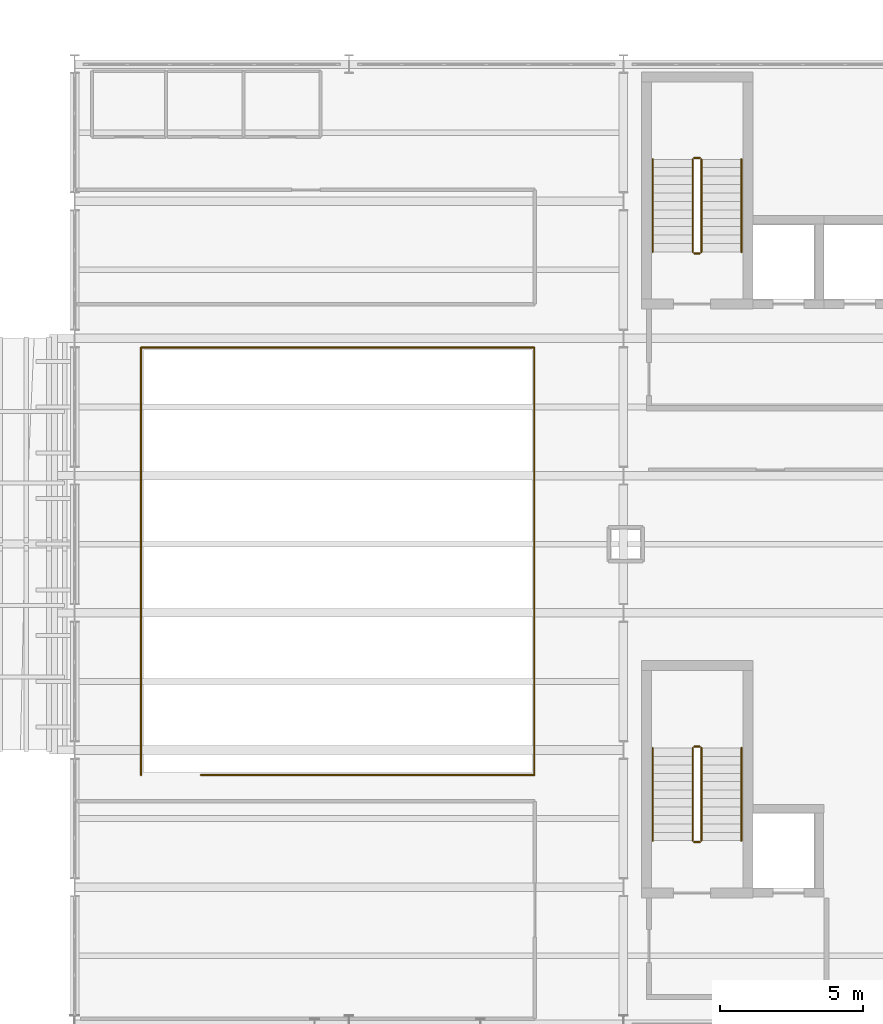
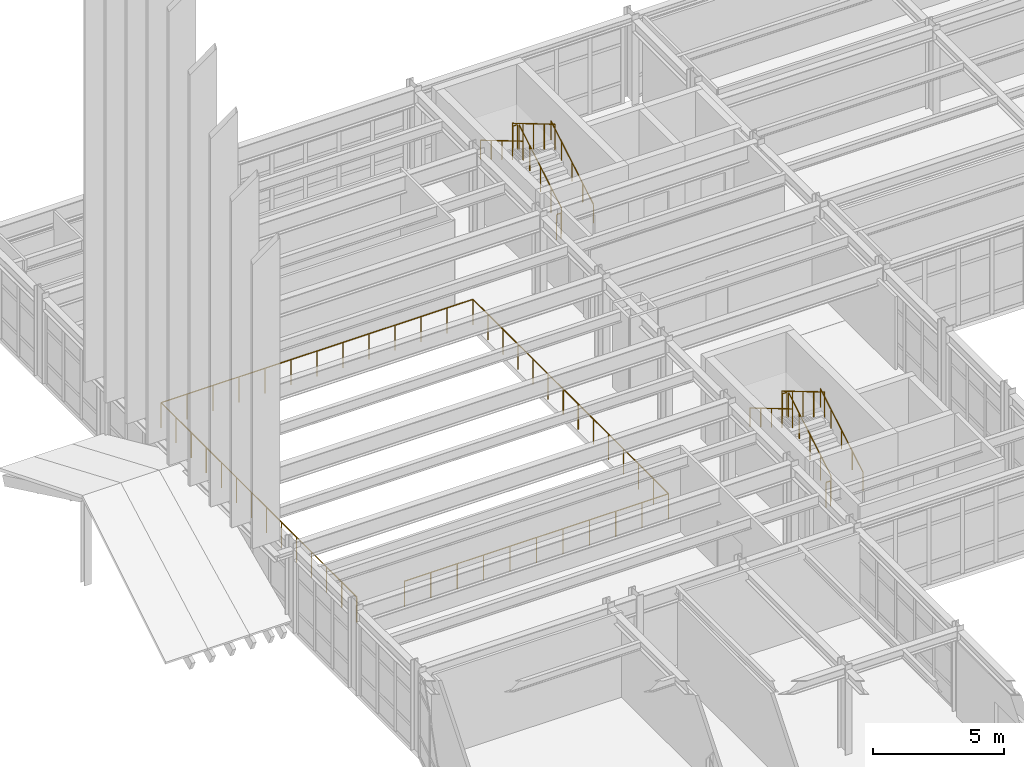
# One storey, part 95 of 99: 16 railings.
"""IFC4 building model written with IfcOpenShell, lengths in metres."""

from ifc_helpers import new_model, si_unit, direction, frame, origin, origin_2d, place, context, subcontext, project, spatial, circle, extrude, material, layer, layer_set, type_object, element, save


model = new_model("IFC4")

# Units and contexts
model_context = context("Model", 3, precision=1e-05, world=origin(), true_north=direction((0.0, 1.0)))
body_context = subcontext(model_context, "Body", "Model", "MODEL_VIEW")
ifc_project = project(units=[si_unit("LENGTHUNIT", "METRE"), si_unit("AREAUNIT", "SQUARE_METRE"), si_unit("VOLUMEUNIT", "CUBIC_METRE"), si_unit("PLANEANGLEUNIT", "RADIAN"), si_unit("MASSUNIT", "GRAM", prefix="KILO")], contexts=[model_context])

# Site, building, storey
site_placement = place(None, origin())
site = spatial("IfcSite", under=ifc_project, at=site_placement, CompositionType="ELEMENT")
building_placement = place(site_placement, origin())
building = spatial("IfcBuilding", under=site, at=building_placement, Name="Nordkorset Police Headquarters", CompositionType="ELEMENT")
storey_placement = place(building_placement, frame((0.0, 0.0, 5.25)))
storey = spatial("IfcBuildingStorey", under=building, at=storey_placement, Name="L01", CompositionType="ELEMENT", Elevation=5.25)

# Railings
ifc_material_1 = material(Name="Steel S355J2", Category="steel")
ifc_layer_1 = layer(ifc_material_1, 0.048095703125, Name="Steel S355J2")
ifc_layer_set_1 = layer_set([ifc_layer_1], Name="Steel S355J2")
railing_type_1 = type_object("IfcRailingType", Name="Railing_Handrail_900", PredefinedType="HANDRAIL", material=ifc_layer_set_1)
railing_1_placement = place(storey_placement, frame((23.324951171875, 110.22509765625, 0.175048828125)))
element("IfcRailing", 1, at=railing_1_placement, inside=storey, type_object=railing_type_1, Name="L01 ST-01 stair handrail 1", PredefinedType="HANDRAIL", context=body_context, shape_type="SweptSolid", body=[
    extrude(circle(Radius=0.02392578125, at=origin_2d()), frame((0.0, 0.0, 0.8759765625), z_axis=(0.0, 0.860040215814, 0.510226250974), x_axis=(-1.0, 0.0, 0.0)), (0.0, 0.0, 1.0), 3.77294921875),
    extrude(circle(Radius=0.02099609375, at=origin_2d()), origin(), (0.0, 0.0, 1.0), 0.851806640625),
    extrude(circle(Radius=0.02099609375, at=origin_2d()), frame((0.0, 0.811279296875, 0.481201171875)), (0.0, 0.0, 1.0), 0.851806640625),
    extrude(circle(Radius=0.02099609375, at=origin_2d()), frame((0.0, 1.62255859375, 0.96240234375)), (0.0, 0.0, 1.0), 0.851806640625),
    extrude(circle(Radius=0.02099609375, at=origin_2d()), frame((0.0, 2.43359375, 1.44384765625)), (0.0, 0.0, 1.0), 0.851806640625),
    extrude(circle(Radius=0.02099609375, at=origin_2d()), frame((0.0, 3.244873046875, 1.925048828125)), (0.0, 0.0, 1.0), 0.851806640625),
])
railing_2_placement = place(storey_placement, frame((20.22509765625, 113.469970703125, 2.27490234375)))
element("IfcRailing", 2, at=railing_2_placement, inside=storey, type_object=railing_type_1, Name="L01 ST-01 stair handrail 2", PredefinedType="HANDRAIL", context=body_context, shape_type="SweptSolid", body=[
    extrude(circle(Radius=0.02392578125, at=origin_2d()), frame((0.0, 0.0, 0.8759765625), z_axis=(0.0, -0.860040215814, 0.510226250974), x_axis=(1.0, 0.0, 0.0)), (0.0, 0.0, 1.0), 3.77294921875),
    extrude(circle(Radius=0.02099609375, at=origin_2d()), origin(), (0.0, 0.0, 1.0), 0.851806640625),
    extrude(circle(Radius=0.02099609375, at=origin_2d()), frame((0.0, -0.811279296875, 0.481201171875)), (0.0, 0.0, 1.0), 0.851806640625),
    extrude(circle(Radius=0.02099609375, at=origin_2d()), frame((0.0, -1.62255859375, 0.96240234375)), (0.0, 0.0, 1.0), 0.851806640625),
    extrude(circle(Radius=0.02099609375, at=origin_2d()), frame((0.0, -2.43359375, 1.44384765625)), (0.0, 0.0, 1.0), 0.851806640625),
    extrude(circle(Radius=0.02099609375, at=origin_2d()), frame((0.0, -3.244873046875, 1.925048828125)), (0.0, 0.0, 1.0), 0.851806640625),
])
railing_3_placement = place(storey_placement, frame((23.324951171875, 89.625, 0.175048828125)))
element("IfcRailing", 3, at=railing_3_placement, inside=storey, type_object=railing_type_1, Name="L01 ST-03 stair handrail 1", PredefinedType="HANDRAIL", context=body_context, shape_type="SweptSolid", body=[
    extrude(circle(Radius=0.02392578125, at=origin_2d()), frame((0.0, 0.0, 0.8759765625), z_axis=(0.0, 0.860057060016, 0.510197857224), x_axis=(-1.0, 0.0, 0.0)), (0.0, 0.0, 1.0), 3.773193359375),
    extrude(circle(Radius=0.02099609375, at=origin_2d()), origin(), (0.0, 0.0, 1.0), 0.851806640625),
    extrude(circle(Radius=0.02099609375, at=origin_2d()), frame((0.0, 0.811279296875, 0.481201171875)), (0.0, 0.0, 1.0), 0.851806640625),
    extrude(circle(Radius=0.02099609375, at=origin_2d()), frame((0.0, 1.62255859375, 0.96240234375)), (0.0, 0.0, 1.0), 0.851806640625),
    extrude(circle(Radius=0.02099609375, at=origin_2d()), frame((0.0, 2.433837890625, 1.44384765625)), (0.0, 0.0, 1.0), 0.851806640625),
    extrude(circle(Radius=0.02099609375, at=origin_2d()), frame((0.0, 3.2451171875, 1.925048828125)), (0.0, 0.0, 1.0), 0.851806640625),
])
railing_4_placement = place(storey_placement, frame((20.22509765625, 92.8701171875, 2.27490234375)))
element("IfcRailing", 4, at=railing_4_placement, inside=storey, type_object=railing_type_1, Name="L01 ST-03 stair handrail 2", PredefinedType="HANDRAIL", context=body_context, shape_type="SweptSolid", body=[
    extrude(circle(Radius=0.02392578125, at=origin_2d()), frame((0.0, 0.0, 0.8759765625), z_axis=(0.0, -0.860057060016, 0.510197857224), x_axis=(1.0, 0.0, 0.0)), (0.0, 0.0, 1.0), 3.773193359375),
    extrude(circle(Radius=0.02099609375, at=origin_2d()), origin(), (0.0, 0.0, 1.0), 0.851806640625),
    extrude(circle(Radius=0.02099609375, at=origin_2d()), frame((0.0, -0.811279296875, 0.481201171875)), (0.0, 0.0, 1.0), 0.851806640625),
    extrude(circle(Radius=0.02099609375, at=origin_2d()), frame((0.0, -1.62255859375, 0.96240234375)), (0.0, 0.0, 1.0), 0.851806640625),
    extrude(circle(Radius=0.02099609375, at=origin_2d()), frame((0.0, -2.433837890625, 1.44384765625)), (0.0, 0.0, 1.0), 0.851806640625),
    extrude(circle(Radius=0.02099609375, at=origin_2d()), frame((0.0, -3.2451171875, 1.925048828125)), (0.0, 0.0, 1.0), 0.851806640625),
])
ifc_material_2 = material(Name="Steel S355J2", Category="steel")
ifc_layer_2 = layer(ifc_material_2, 0.050048828125, Name="Steel S355J2")
ifc_layer_set_2 = layer_set([ifc_layer_2], Name="Steel S355J2")
railing_type_2 = type_object("IfcRailingType", Name="Railing_StairGuard_1200", PredefinedType="GUARDRAIL", material=ifc_layer_set_2)
railing_5_placement = place(storey_placement, frame((21.925048828125, 110.22509765625, 0.175048828125)))
element("IfcRailing", 5, at=railing_5_placement, inside=storey, type_object=railing_type_2, Name="L01 ST-01 stair guard 1", PredefinedType="GUARDRAIL", context=body_context, shape_type="SweptSolid", body=[
    extrude(circle(Radius=0.02392578125, at=origin_2d()), frame((0.0, 0.0, 1.17578125), z_axis=(0.0, 0.860040215814, 0.510226250974), x_axis=(-1.0, 0.0, 0.0)), (0.0, 0.0, 1.0), 3.77294921875),
    extrude(circle(Radius=0.02099609375, at=origin_2d()), origin(), (0.0, 0.0, 1.0), 1.15185546875),
    extrude(circle(Radius=0.02099609375, at=origin_2d()), frame((0.0, 0.811279296875, 0.481201171875)), (0.0, 0.0, 1.0), 1.15185546875),
    extrude(circle(Radius=0.02099609375, at=origin_2d()), frame((0.0, 1.62255859375, 0.96240234375)), (0.0, 0.0, 1.0), 1.15185546875),
    extrude(circle(Radius=0.02099609375, at=origin_2d()), frame((0.0, 2.43359375, 1.44384765625)), (0.0, 0.0, 1.0), 1.15185546875),
    extrude(circle(Radius=0.02099609375, at=origin_2d()), frame((0.0, 3.244873046875, 1.925048828125)), (0.0, 0.0, 1.0), 1.15185546875),
])
railing_6_placement = place(storey_placement, frame((21.875, 113.52001953125, 2.10009765625)))
element("IfcRailing", 6, at=railing_6_placement, inside=storey, type_object=railing_type_2, Name="L01 ST-01 stair guard 2", PredefinedType="GUARDRAIL", context=body_context, shape_type="SweptSolid", body=[
    extrude(circle(Radius=0.02392578125, at=origin_2d()), frame((0.0, 0.0, 1.17578125), z_axis=(-1.0, 0.0, 0.0), x_axis=(0.0, -1.0, 0.0)), (0.0, 0.0, 1.0), 0.199951171875),
    extrude(circle(Radius=0.02099609375, at=origin_2d()), origin(), (0.0, 0.0, 1.0), 1.15185546875),
    extrude(circle(Radius=0.02099609375, at=origin_2d()), frame((-0.199951171875, 0.0, 0.0)), (0.0, 0.0, 1.0), 1.15185546875),
])
railing_7_placement = place(storey_placement, frame((21.625, 113.469970703125, 2.27490234375)))
element("IfcRailing", 7, at=railing_7_placement, inside=storey, type_object=railing_type_2, Name="L01 ST-01 stair guard 3", PredefinedType="GUARDRAIL", context=body_context, shape_type="SweptSolid", body=[
    extrude(circle(Radius=0.02392578125, at=origin_2d()), frame((0.0, 0.0, 1.17578125), z_axis=(0.0, -0.860040215814, 0.510226250974), x_axis=(1.0, 0.0, 0.0)), (0.0, 0.0, 1.0), 3.77294921875),
    extrude(circle(Radius=0.02099609375, at=origin_2d()), origin(), (0.0, 0.0, 1.0), 1.15185546875),
    extrude(circle(Radius=0.02099609375, at=origin_2d()), frame((0.0, -0.811279296875, 0.481201171875)), (0.0, 0.0, 1.0), 1.15185546875),
    extrude(circle(Radius=0.02099609375, at=origin_2d()), frame((0.0, -1.62255859375, 0.96240234375)), (0.0, 0.0, 1.0), 1.15185546875),
    extrude(circle(Radius=0.02099609375, at=origin_2d()), frame((0.0, -2.43359375, 1.44384765625)), (0.0, 0.0, 1.0), 1.15185546875),
    extrude(circle(Radius=0.02099609375, at=origin_2d()), frame((0.0, -3.244873046875, 1.925048828125)), (0.0, 0.0, 1.0), 1.15185546875),
])
railing_8_placement = place(storey_placement, frame((21.875, 110.175048828125, 0.0)))
element("IfcRailing", 8, at=railing_8_placement, inside=storey, type_object=railing_type_2, Name="L01 ST-01 stair guard 4", PredefinedType="GUARDRAIL", context=body_context, shape_type="SweptSolid", body=[
    extrude(circle(Radius=0.02392578125, at=origin_2d()), frame((0.0, 0.0, 1.17578125), z_axis=(-1.0, 0.0, 0.0), x_axis=(0.0, -1.0, 0.0)), (0.0, 0.0, 1.0), 0.199951171875),
    extrude(circle(Radius=0.02099609375, at=origin_2d()), origin(), (0.0, 0.0, 1.0), 1.15185546875),
    extrude(circle(Radius=0.02099609375, at=origin_2d()), frame((-0.199951171875, 0.0, 0.0)), (0.0, 0.0, 1.0), 1.15185546875),
])
railing_9_placement = place(storey_placement, frame((21.925048828125, 89.625, 0.175048828125)))
element("IfcRailing", 9, at=railing_9_placement, inside=storey, type_object=railing_type_2, Name="L01 ST-03 stair guard 1", PredefinedType="GUARDRAIL", context=body_context, shape_type="SweptSolid", body=[
    extrude(circle(Radius=0.02392578125, at=origin_2d()), frame((0.0, 0.0, 1.17578125), z_axis=(0.0, 0.860057060016, 0.510197857224), x_axis=(-1.0, 0.0, 0.0)), (0.0, 0.0, 1.0), 3.773193359375),
    extrude(circle(Radius=0.02099609375, at=origin_2d()), origin(), (0.0, 0.0, 1.0), 1.15185546875),
    extrude(circle(Radius=0.02099609375, at=origin_2d()), frame((0.0, 0.811279296875, 0.481201171875)), (0.0, 0.0, 1.0), 1.15185546875),
    extrude(circle(Radius=0.02099609375, at=origin_2d()), frame((0.0, 1.62255859375, 0.96240234375)), (0.0, 0.0, 1.0), 1.15185546875),
    extrude(circle(Radius=0.02099609375, at=origin_2d()), frame((0.0, 2.433837890625, 1.44384765625)), (0.0, 0.0, 1.0), 1.15185546875),
    extrude(circle(Radius=0.02099609375, at=origin_2d()), frame((0.0, 3.2451171875, 1.925048828125)), (0.0, 0.0, 1.0), 1.15185546875),
])
railing_10_placement = place(storey_placement, frame((21.875, 92.919921875, 2.10009765625)))
element("IfcRailing", 10, at=railing_10_placement, inside=storey, type_object=railing_type_2, Name="L01 ST-03 stair guard 2", PredefinedType="GUARDRAIL", context=body_context, shape_type="SweptSolid", body=[
    extrude(circle(Radius=0.02392578125, at=origin_2d()), frame((0.0, 0.0, 1.17578125), z_axis=(-1.0, 0.0, 0.0), x_axis=(0.0, -1.0, 0.0)), (0.0, 0.0, 1.0), 0.199951171875),
    extrude(circle(Radius=0.02099609375, at=origin_2d()), origin(), (0.0, 0.0, 1.0), 1.15185546875),
    extrude(circle(Radius=0.02099609375, at=origin_2d()), frame((-0.199951171875, 0.0, 0.0)), (0.0, 0.0, 1.0), 1.15185546875),
])
railing_11_placement = place(storey_placement, frame((21.625, 92.8701171875, 2.27490234375)))
element("IfcRailing", 11, at=railing_11_placement, inside=storey, type_object=railing_type_2, Name="L01 ST-03 stair guard 3", PredefinedType="GUARDRAIL", context=body_context, shape_type="SweptSolid", body=[
    extrude(circle(Radius=0.02392578125, at=origin_2d()), frame((0.0, 0.0, 1.17578125), z_axis=(0.0, -0.860057060016, 0.510197857224), x_axis=(1.0, 0.0, 0.0)), (0.0, 0.0, 1.0), 3.773193359375),
    extrude(circle(Radius=0.02099609375, at=origin_2d()), origin(), (0.0, 0.0, 1.0), 1.15185546875),
    extrude(circle(Radius=0.02099609375, at=origin_2d()), frame((0.0, -0.811279296875, 0.481201171875)), (0.0, 0.0, 1.0), 1.15185546875),
    extrude(circle(Radius=0.02099609375, at=origin_2d()), frame((0.0, -1.62255859375, 0.96240234375)), (0.0, 0.0, 1.0), 1.15185546875),
    extrude(circle(Radius=0.02099609375, at=origin_2d()), frame((0.0, -2.433837890625, 1.44384765625)), (0.0, 0.0, 1.0), 1.15185546875),
    extrude(circle(Radius=0.02099609375, at=origin_2d()), frame((0.0, -3.2451171875, 1.925048828125)), (0.0, 0.0, 1.0), 1.15185546875),
])
railing_12_placement = place(storey_placement, frame((21.875, 89.574951171875, 0.0)))
element("IfcRailing", 12, at=railing_12_placement, inside=storey, type_object=railing_type_2, Name="L01 ST-03 stair guard 4", PredefinedType="GUARDRAIL", context=body_context, shape_type="SweptSolid", body=[
    extrude(circle(Radius=0.02392578125, at=origin_2d()), frame((0.0, 0.0, 1.17578125), z_axis=(-1.0, 0.0, 0.0), x_axis=(0.0, -1.0, 0.0)), (0.0, 0.0, 1.0), 0.199951171875),
    extrude(circle(Radius=0.02099609375, at=origin_2d()), origin(), (0.0, 0.0, 1.0), 1.15185546875),
    extrude(circle(Radius=0.02099609375, at=origin_2d()), frame((-0.199951171875, 0.0, 0.0)), (0.0, 0.0, 1.0), 1.15185546875),
])
railing_13_placement = place(storey_placement, frame((4.419921875, 91.925048828125, 0.0)))
element("IfcRailing", 13, at=railing_13_placement, inside=storey, type_object=railing_type_2, Name="Atrium Void Guardrail L01", PredefinedType="GUARDRAIL", context=body_context, shape_type="SweptSolid", body=[
    extrude(circle(Radius=0.02392578125, at=origin_2d()), frame((0.0, 0.0, 1.17578125), z_axis=(1.0, 0.0, 0.0), x_axis=(0.0, 1.0, 0.0)), (0.0, 0.0, 1.0), 11.66015625),
    extrude(circle(Radius=0.02099609375, at=origin_2d()), origin(), (0.0, 0.0, 1.0), 1.15185546875),
    extrude(circle(Radius=0.02099609375, at=origin_2d()), frame((1.166015625, 0.0, 0.0)), (0.0, 0.0, 1.0), 1.15185546875),
    extrude(circle(Radius=0.02099609375, at=origin_2d()), frame((2.33203125, 0.0, 0.0)), (0.0, 0.0, 1.0), 1.15185546875),
    extrude(circle(Radius=0.02099609375, at=origin_2d()), frame((3.498046875, 0.0, 0.0)), (0.0, 0.0, 1.0), 1.15185546875),
    extrude(circle(Radius=0.02099609375, at=origin_2d()), frame((4.6640625, 0.0, 0.0)), (0.0, 0.0, 1.0), 1.15185546875),
    extrude(circle(Radius=0.02099609375, at=origin_2d()), frame((5.830078125, 0.0, 0.0)), (0.0, 0.0, 1.0), 1.15185546875),
    extrude(circle(Radius=0.02099609375, at=origin_2d()), frame((6.99609375, 0.0, 0.0)), (0.0, 0.0, 1.0), 1.15185546875),
    extrude(circle(Radius=0.02099609375, at=origin_2d()), frame((8.162109375, 0.0, 0.0)), (0.0, 0.0, 1.0), 1.15185546875),
    extrude(circle(Radius=0.02099609375, at=origin_2d()), frame((9.328125, 0.0, 0.0)), (0.0, 0.0, 1.0), 1.15185546875),
    extrude(circle(Radius=0.02099609375, at=origin_2d()), frame((10.494140625, 0.0, 0.0)), (0.0, 0.0, 1.0), 1.15185546875),
    extrude(circle(Radius=0.02099609375, at=origin_2d()), frame((11.66015625, 0.0, 0.0)), (0.0, 0.0, 1.0), 1.15185546875),
])
railing_14_placement = place(storey_placement, frame((16.080078125, 91.925048828125, 0.0)))
element("IfcRailing", 14, at=railing_14_placement, inside=storey, type_object=railing_type_2, Name="Double-Height Void Guardrail L01-2", PredefinedType="GUARDRAIL", context=body_context, shape_type="SweptSolid", body=[
    extrude(circle(Radius=0.02392578125, at=origin_2d()), frame((0.0, 0.0, 1.17578125), z_axis=(0.0, 1.0, 0.0), x_axis=(-1.0, 0.0, 0.0)), (0.0, 0.0, 1.0), 14.954833984375),
    extrude(circle(Radius=0.02099609375, at=origin_2d()), origin(), (0.0, 0.0, 1.0), 1.15185546875),
    extrude(circle(Radius=0.02099609375, at=origin_2d()), frame((0.0, 1.150390625, 0.0)), (0.0, 0.0, 1.0), 1.15185546875),
    extrude(circle(Radius=0.02099609375, at=origin_2d()), frame((0.0, 2.30078125, 0.0)), (0.0, 0.0, 1.0), 1.15185546875),
    extrude(circle(Radius=0.02099609375, at=origin_2d()), frame((0.0, 3.451171875, 0.0)), (0.0, 0.0, 1.0), 1.15185546875),
    extrude(circle(Radius=0.02099609375, at=origin_2d()), frame((0.0, 4.6015625, 0.0)), (0.0, 0.0, 1.0), 1.15185546875),
    extrude(circle(Radius=0.02099609375, at=origin_2d()), frame((0.0, 5.751953125, 0.0)), (0.0, 0.0, 1.0), 1.15185546875),
    extrude(circle(Radius=0.02099609375, at=origin_2d()), frame((0.0, 6.90234375, 0.0)), (0.0, 0.0, 1.0), 1.15185546875),
    extrude(circle(Radius=0.02099609375, at=origin_2d()), frame((0.0, 8.052490234375, 0.0)), (0.0, 0.0, 1.0), 1.15185546875),
    extrude(circle(Radius=0.02099609375, at=origin_2d()), frame((0.0, 9.202880859375, 0.0)), (0.0, 0.0, 1.0), 1.15185546875),
    extrude(circle(Radius=0.02099609375, at=origin_2d()), frame((0.0, 10.353271484375, 0.0)), (0.0, 0.0, 1.0), 1.15185546875),
    extrude(circle(Radius=0.02099609375, at=origin_2d()), frame((0.0, 11.503662109375, 0.0)), (0.0, 0.0, 1.0), 1.15185546875),
    extrude(circle(Radius=0.02099609375, at=origin_2d()), frame((0.0, 12.654052734375, 0.0)), (0.0, 0.0, 1.0), 1.15185546875),
    extrude(circle(Radius=0.02099609375, at=origin_2d()), frame((0.0, 13.804443359375, 0.0)), (0.0, 0.0, 1.0), 1.15185546875),
    extrude(circle(Radius=0.02099609375, at=origin_2d()), frame((0.0, 14.954833984375, 0.0)), (0.0, 0.0, 1.0), 1.15185546875),
])
railing_15_placement = place(storey_placement, frame((16.080078125, 106.8798828125, 0.0)))
element("IfcRailing", 15, at=railing_15_placement, inside=storey, type_object=railing_type_2, Name="Double-Height Void Guardrail L01-3", PredefinedType="GUARDRAIL", context=body_context, shape_type="SweptSolid", body=[
    extrude(circle(Radius=0.02392578125, at=origin_2d()), frame((0.0, 0.0, 1.17578125), z_axis=(-1.0, 0.0, 0.0), x_axis=(0.0, -1.0, 0.0)), (0.0, 0.0, 1.0), 13.760009765625),
    extrude(circle(Radius=0.02099609375, at=origin_2d()), origin(), (0.0, 0.0, 1.0), 1.15185546875),
    extrude(circle(Radius=0.02099609375, at=origin_2d()), frame((-1.146728515625, 0.0, 0.0)), (0.0, 0.0, 1.0), 1.15185546875),
    extrude(circle(Radius=0.02099609375, at=origin_2d()), frame((-2.29345703125, 0.0, 0.0)), (0.0, 0.0, 1.0), 1.15185546875),
    extrude(circle(Radius=0.02099609375, at=origin_2d()), frame((-3.43994140625, 0.0, 0.0)), (0.0, 0.0, 1.0), 1.15185546875),
    extrude(circle(Radius=0.02099609375, at=origin_2d()), frame((-4.586669921875, 0.0, 0.0)), (0.0, 0.0, 1.0), 1.15185546875),
    extrude(circle(Radius=0.02099609375, at=origin_2d()), frame((-5.7333984375, 0.0, 0.0)), (0.0, 0.0, 1.0), 1.15185546875),
    extrude(circle(Radius=0.02099609375, at=origin_2d()), frame((-6.8798828125, 0.0, 0.0)), (0.0, 0.0, 1.0), 1.15185546875),
    extrude(circle(Radius=0.02099609375, at=origin_2d()), frame((-8.026611328125, 0.0, 0.0)), (0.0, 0.0, 1.0), 1.15185546875),
    extrude(circle(Radius=0.02099609375, at=origin_2d()), frame((-9.17333984375, 0.0, 0.0)), (0.0, 0.0, 1.0), 1.15185546875),
    extrude(circle(Radius=0.02099609375, at=origin_2d()), frame((-10.320068359375, 0.0, 0.0)), (0.0, 0.0, 1.0), 1.15185546875),
    extrude(circle(Radius=0.02099609375, at=origin_2d()), frame((-11.466796875, 0.0, 0.0)), (0.0, 0.0, 1.0), 1.15185546875),
    extrude(circle(Radius=0.02099609375, at=origin_2d()), frame((-12.61328125, 0.0, 0.0)), (0.0, 0.0, 1.0), 1.15185546875),
    extrude(circle(Radius=0.02099609375, at=origin_2d()), frame((-13.760009765625, 0.0, 0.0)), (0.0, 0.0, 1.0), 1.15185546875),
])
railing_16_placement = place(storey_placement, frame((2.320068359375, 106.8798828125, 0.0)))
element("IfcRailing", 16, at=railing_16_placement, inside=storey, type_object=railing_type_2, Name="Double-Height Void Guardrail L01-4", PredefinedType="GUARDRAIL", context=body_context, shape_type="SweptSolid", body=[
    extrude(circle(Radius=0.02392578125, at=origin_2d()), frame((0.0, 0.0, 1.17578125), z_axis=(0.0, -1.0, 0.0), x_axis=(1.0, 0.0, 0.0)), (0.0, 0.0, 1.0), 14.954833984375),
    extrude(circle(Radius=0.02099609375, at=origin_2d()), origin(), (0.0, 0.0, 1.0), 1.15185546875),
    extrude(circle(Radius=0.02099609375, at=origin_2d()), frame((0.0, -1.150390625, 0.0)), (0.0, 0.0, 1.0), 1.15185546875),
    extrude(circle(Radius=0.02099609375, at=origin_2d()), frame((0.0, -2.30078125, 0.0)), (0.0, 0.0, 1.0), 1.15185546875),
    extrude(circle(Radius=0.02099609375, at=origin_2d()), frame((0.0, -3.451171875, 0.0)), (0.0, 0.0, 1.0), 1.15185546875),
    extrude(circle(Radius=0.02099609375, at=origin_2d()), frame((0.0, -4.6015625, 0.0)), (0.0, 0.0, 1.0), 1.15185546875),
    extrude(circle(Radius=0.02099609375, at=origin_2d()), frame((0.0, -5.751953125, 0.0)), (0.0, 0.0, 1.0), 1.15185546875),
    extrude(circle(Radius=0.02099609375, at=origin_2d()), frame((0.0, -6.90234375, 0.0)), (0.0, 0.0, 1.0), 1.15185546875),
    extrude(circle(Radius=0.02099609375, at=origin_2d()), frame((0.0, -8.052490234375, 0.0)), (0.0, 0.0, 1.0), 1.15185546875),
    extrude(circle(Radius=0.02099609375, at=origin_2d()), frame((0.0, -9.202880859375, 0.0)), (0.0, 0.0, 1.0), 1.15185546875),
    extrude(circle(Radius=0.02099609375, at=origin_2d()), frame((0.0, -10.353271484375, 0.0)), (0.0, 0.0, 1.0), 1.15185546875),
    extrude(circle(Radius=0.02099609375, at=origin_2d()), frame((0.0, -11.503662109375, 0.0)), (0.0, 0.0, 1.0), 1.15185546875),
    extrude(circle(Radius=0.02099609375, at=origin_2d()), frame((0.0, -12.654052734375, 0.0)), (0.0, 0.0, 1.0), 1.15185546875),
    extrude(circle(Radius=0.02099609375, at=origin_2d()), frame((0.0, -13.804443359375, 0.0)), (0.0, 0.0, 1.0), 1.15185546875),
    extrude(circle(Radius=0.02099609375, at=origin_2d()), frame((0.0, -14.954833984375, 0.0)), (0.0, 0.0, 1.0), 1.15185546875),
])

save(model, "model.ifc")
